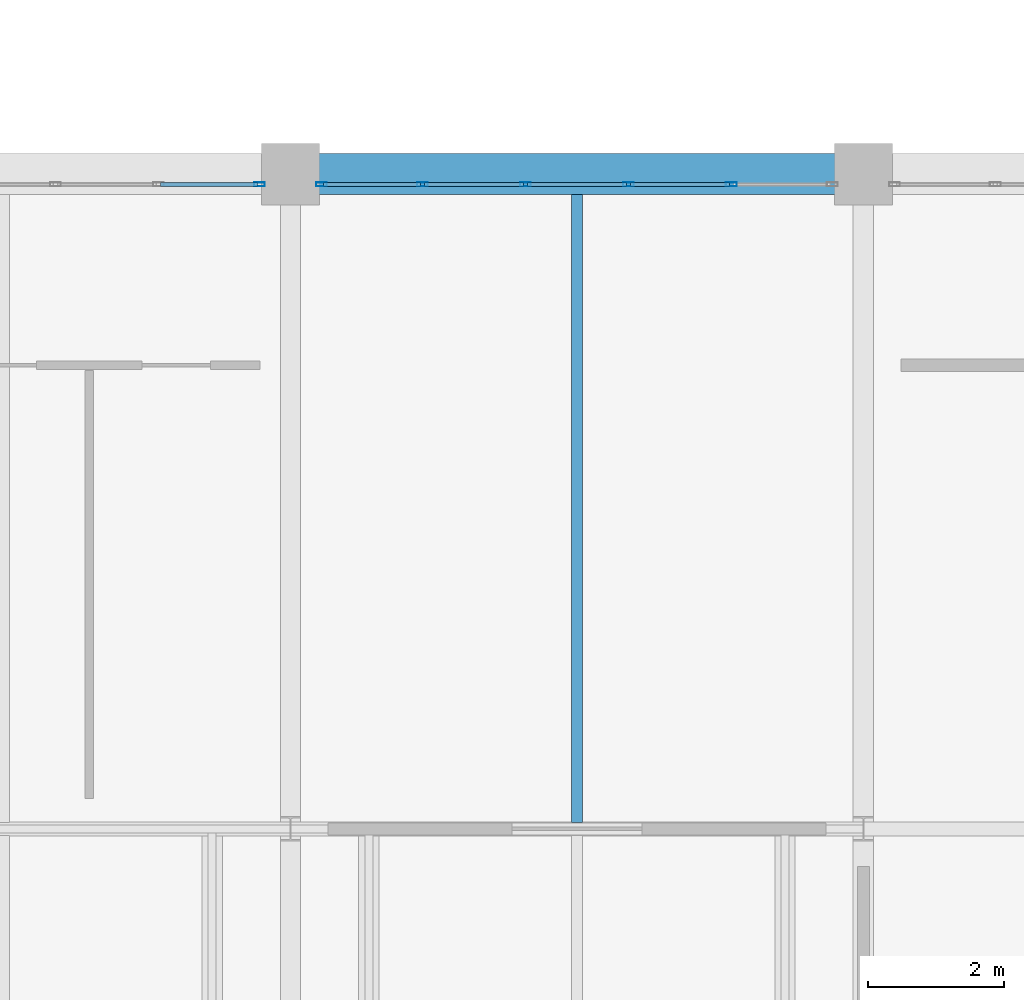
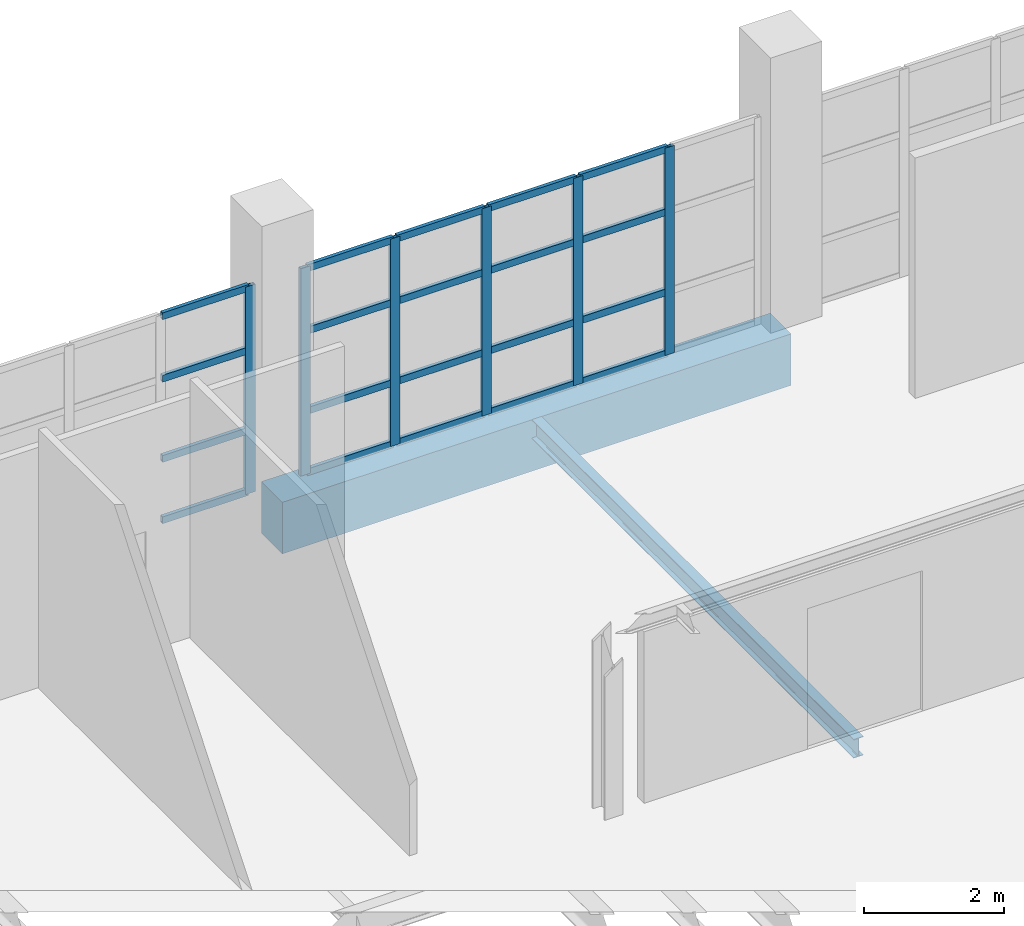
# One storey, part 8 of 29: 26 members, 2 beams, 2 elements without a shape of their own.
"""IFC4 building model written with IfcOpenShell, lengths in metres."""

from ifc_helpers import new_model, si_unit, direction, frame, origin, origin_2d, place, context, subcontext, project, spatial, rectangle, hollow_rectangle, i_section, extrude, material, material_profile, profile_set, type_object, element, aggregate, save


model = new_model("IFC4")

# Units and contexts
model_context = context("Model", 3, precision=1e-05, world=origin(), true_north=direction((0.0, 1.0)))
body_context = subcontext(model_context, "Body", "Model", "MODEL_VIEW")
ifc_project = project(units=[si_unit("LENGTHUNIT", "METRE"), si_unit("AREAUNIT", "SQUARE_METRE"), si_unit("VOLUMEUNIT", "CUBIC_METRE"), si_unit("PLANEANGLEUNIT", "RADIAN"), si_unit("MASSUNIT", "GRAM", prefix="KILO")], contexts=[model_context])

# Site, building, storey
site_placement = place(None, origin())
site = spatial("IfcSite", under=ifc_project, at=site_placement, CompositionType="ELEMENT")
building_placement = place(site_placement, origin())
building = spatial("IfcBuilding", under=site, at=building_placement, Name="Veltarok Museum of Natural Sciences", CompositionType="ELEMENT")
storey_placement = place(building_placement, frame((0.0, 0.0, 26.39990234375)))
storey = spatial("IfcBuildingStorey", under=building, at=storey_placement, Name="L05", CompositionType="ELEMENT", Elevation=26.39990234375)

# Curtain wall, members
ifc_material_1 = material(Name="Low-iron triple insulated glass", Category="glass")
curtain_wall_type = type_object("IfcCurtainWallType", Name="Curtain Wall System CW-V1N-L05-755x362 (V1 North Overlook L05 755x362cm)", PredefinedType="NOTDEFINED", material=ifc_material_1)
curtain_wall_1_placement = place(storey_placement, origin())
curtain_wall_1 = element("IfcCurtainWall", 1, at=curtain_wall_1_placement, inside=storey, type_object=curtain_wall_type, Name="Curtain Wall CW-V1N-L05-755x362 CW-0013", PredefinedType="NOTDEFINED")
ifc_material_2 = material(Name="Thermally broken anodised aluminium", Category="aluminium")
ifc_material_profile_1 = material_profile(ifc_material_2, hollow_rectangle(XDim=0.06005859375, YDim=0.1201171875, WallThickness=0.0048828125, at=origin_2d()), Name="CW TRANSOM 60x120x5")
ifc_profile_set_1 = profile_set([ifc_material_profile_1], Name="Thermally broken anodised aluminium")
member_type_1 = type_object("IfcMemberType", Name="Curtain Wall Horizontal Transom 60x120x5", PredefinedType="USERDEFINED", material=ifc_profile_set_1)
member_1_placement = place(storey_placement, frame((56.31494140625, 19.050048828125, 0.030029296875), z_axis=(-1.0, 0.0, 0.0), x_axis=(0.0, -1.0, 0.0)))
member_1 = element("IfcMember", 2, at=member_1_placement, type_object=member_type_1, Name="CW-V1N-L05-755x362 transom 1.1", ObjectType="TRANSOM", PredefinedType="USERDEFINED", context=body_context, shape_type="SweptSolid", body=[
    extrude(hollow_rectangle(XDim=0.06005859375, YDim=0.1201171875, WallThickness=0.0048828125, at=origin_2d()), origin(), (0.0, 0.0, 1.0), 1.419921875),
])
member_2_placement = place(storey_placement, frame((56.31494140625, 19.050048828125, 1.10009765625), z_axis=(-1.0, 0.0, 0.0), x_axis=(0.0, -1.0, 0.0)))
member_2 = element("IfcMember", 3, at=member_2_placement, type_object=member_type_1, Name="CW-V1N-L05-755x362 transom 1.2", ObjectType="TRANSOM", PredefinedType="USERDEFINED", context=body_context, shape_type="SweptSolid", body=[
    extrude(hollow_rectangle(XDim=0.06005859375, YDim=0.1201171875, WallThickness=0.0048828125, at=origin_2d()), origin(), (0.0, 0.0, 1.0), 1.419921875),
])
member_3_placement = place(storey_placement, frame((56.31494140625, 19.050048828125, 2.5), z_axis=(-1.0, 0.0, 0.0), x_axis=(0.0, -1.0, 0.0)))
member_3 = element("IfcMember", 4, at=member_3_placement, type_object=member_type_1, Name="CW-V1N-L05-755x362 transom 1.3", ObjectType="TRANSOM", PredefinedType="USERDEFINED", context=body_context, shape_type="SweptSolid", body=[
    extrude(hollow_rectangle(XDim=0.06005859375, YDim=0.1201171875, WallThickness=0.0048828125, at=origin_2d()), origin(), (0.0, 0.0, 1.0), 1.419921875),
])
member_4_placement = place(storey_placement, frame((56.31494140625, 19.050048828125, 3.590087890625), z_axis=(-1.0, 0.0, 0.0), x_axis=(0.0, -1.0, 0.0)))
member_4 = element("IfcMember", 5, at=member_4_placement, type_object=member_type_1, Name="CW-V1N-L05-755x362 transom 1.4", ObjectType="TRANSOM", PredefinedType="USERDEFINED", context=body_context, shape_type="SweptSolid", body=[
    extrude(hollow_rectangle(XDim=0.06005859375, YDim=0.1201171875, WallThickness=0.0048828125, at=origin_2d()), origin(), (0.0, 0.0, 1.0), 1.419921875),
])

curtain_wall_2_placement = place(storey_placement, origin())
curtain_wall_2 = element("IfcCurtainWall", 6, at=curtain_wall_2_placement, inside=storey, type_object=curtain_wall_type, Name="Curtain Wall CW-V1N-L05-755x362 CW-0014", PredefinedType="NOTDEFINED")
member_5_placement = place(storey_placement, frame((63.235107421875, 19.050048828125, 0.030029296875), z_axis=(-1.0, 0.0, 0.0), x_axis=(0.0, -1.0, 0.0)))
member_5 = element("IfcMember", 7, at=member_5_placement, type_object=member_type_1, Name="CW-V1N-L05-755x362 transom 2.1", ObjectType="TRANSOM", PredefinedType="USERDEFINED", context=body_context, shape_type="SweptSolid", body=[
    extrude(hollow_rectangle(XDim=0.06005859375, YDim=0.1201171875, WallThickness=0.0048828125, at=origin_2d()), origin(), (0.0, 0.0, 1.0), 1.4501953125),
])
member_6_placement = place(storey_placement, frame((63.235107421875, 19.050048828125, 1.10009765625), z_axis=(-1.0, 0.0, 0.0), x_axis=(0.0, -1.0, 0.0)))
member_6 = element("IfcMember", 8, at=member_6_placement, type_object=member_type_1, Name="CW-V1N-L05-755x362 transom 2.2", ObjectType="TRANSOM", PredefinedType="USERDEFINED", context=body_context, shape_type="SweptSolid", body=[
    extrude(hollow_rectangle(XDim=0.06005859375, YDim=0.1201171875, WallThickness=0.0048828125, at=origin_2d()), origin(), (0.0, 0.0, 1.0), 1.4501953125),
])
member_7_placement = place(storey_placement, frame((63.235107421875, 19.050048828125, 2.5), z_axis=(-1.0, 0.0, 0.0), x_axis=(0.0, -1.0, 0.0)))
member_7 = element("IfcMember", 9, at=member_7_placement, type_object=member_type_1, Name="CW-V1N-L05-755x362 transom 2.3", ObjectType="TRANSOM", PredefinedType="USERDEFINED", context=body_context, shape_type="SweptSolid", body=[
    extrude(hollow_rectangle(XDim=0.06005859375, YDim=0.1201171875, WallThickness=0.0048828125, at=origin_2d()), origin(), (0.0, 0.0, 1.0), 1.4501953125),
])
member_8_placement = place(storey_placement, frame((63.235107421875, 19.050048828125, 3.590087890625), z_axis=(-1.0, 0.0, 0.0), x_axis=(0.0, -1.0, 0.0)))
member_8 = element("IfcMember", 10, at=member_8_placement, type_object=member_type_1, Name="CW-V1N-L05-755x362 transom 2.4", ObjectType="TRANSOM", PredefinedType="USERDEFINED", context=body_context, shape_type="SweptSolid", body=[
    extrude(hollow_rectangle(XDim=0.06005859375, YDim=0.1201171875, WallThickness=0.0048828125, at=origin_2d()), origin(), (0.0, 0.0, 1.0), 1.4501953125),
])
member_9_placement = place(storey_placement, frame((61.72509765625, 19.050048828125, 0.030029296875), z_axis=(-1.0, 0.0, 0.0), x_axis=(0.0, -1.0, 0.0)))
member_9 = element("IfcMember", 11, at=member_9_placement, type_object=member_type_1, Name="CW-V1N-L05-755x362 transom 3.1", ObjectType="TRANSOM", PredefinedType="USERDEFINED", context=body_context, shape_type="SweptSolid", body=[
    extrude(hollow_rectangle(XDim=0.06005859375, YDim=0.1201171875, WallThickness=0.0048828125, at=origin_2d()), origin(), (0.0, 0.0, 1.0), 1.4501953125),
])
member_10_placement = place(storey_placement, frame((61.72509765625, 19.050048828125, 1.10009765625), z_axis=(-1.0, 0.0, 0.0), x_axis=(0.0, -1.0, 0.0)))
member_10 = element("IfcMember", 12, at=member_10_placement, type_object=member_type_1, Name="CW-V1N-L05-755x362 transom 3.2", ObjectType="TRANSOM", PredefinedType="USERDEFINED", context=body_context, shape_type="SweptSolid", body=[
    extrude(hollow_rectangle(XDim=0.06005859375, YDim=0.1201171875, WallThickness=0.0048828125, at=origin_2d()), origin(), (0.0, 0.0, 1.0), 1.4501953125),
])
member_11_placement = place(storey_placement, frame((61.72509765625, 19.050048828125, 2.5), z_axis=(-1.0, 0.0, 0.0), x_axis=(0.0, -1.0, 0.0)))
member_11 = element("IfcMember", 13, at=member_11_placement, type_object=member_type_1, Name="CW-V1N-L05-755x362 transom 3.3", ObjectType="TRANSOM", PredefinedType="USERDEFINED", context=body_context, shape_type="SweptSolid", body=[
    extrude(hollow_rectangle(XDim=0.06005859375, YDim=0.1201171875, WallThickness=0.0048828125, at=origin_2d()), origin(), (0.0, 0.0, 1.0), 1.4501953125),
])
member_12_placement = place(storey_placement, frame((61.72509765625, 19.050048828125, 3.590087890625), z_axis=(-1.0, 0.0, 0.0), x_axis=(0.0, -1.0, 0.0)))
member_12 = element("IfcMember", 14, at=member_12_placement, type_object=member_type_1, Name="CW-V1N-L05-755x362 transom 3.4", ObjectType="TRANSOM", PredefinedType="USERDEFINED", context=body_context, shape_type="SweptSolid", body=[
    extrude(hollow_rectangle(XDim=0.06005859375, YDim=0.1201171875, WallThickness=0.0048828125, at=origin_2d()), origin(), (0.0, 0.0, 1.0), 1.4501953125),
])
member_13_placement = place(storey_placement, frame((60.215087890625, 19.050048828125, 0.030029296875), z_axis=(-1.0, 0.0, 0.0), x_axis=(0.0, -1.0, 0.0)))
member_13 = element("IfcMember", 15, at=member_13_placement, type_object=member_type_1, Name="CW-V1N-L05-755x362 transom 4.1", ObjectType="TRANSOM", PredefinedType="USERDEFINED", context=body_context, shape_type="SweptSolid", body=[
    extrude(hollow_rectangle(XDim=0.06005859375, YDim=0.1201171875, WallThickness=0.0048828125, at=origin_2d()), origin(), (0.0, 0.0, 1.0), 1.4501953125),
])
member_14_placement = place(storey_placement, frame((60.215087890625, 19.050048828125, 1.10009765625), z_axis=(-1.0, 0.0, 0.0), x_axis=(0.0, -1.0, 0.0)))
member_14 = element("IfcMember", 16, at=member_14_placement, type_object=member_type_1, Name="CW-V1N-L05-755x362 transom 4.2", ObjectType="TRANSOM", PredefinedType="USERDEFINED", context=body_context, shape_type="SweptSolid", body=[
    extrude(hollow_rectangle(XDim=0.06005859375, YDim=0.1201171875, WallThickness=0.0048828125, at=origin_2d()), origin(), (0.0, 0.0, 1.0), 1.4501953125),
])
member_15_placement = place(storey_placement, frame((60.215087890625, 19.050048828125, 2.5), z_axis=(-1.0, 0.0, 0.0), x_axis=(0.0, -1.0, 0.0)))
member_15 = element("IfcMember", 17, at=member_15_placement, type_object=member_type_1, Name="CW-V1N-L05-755x362 transom 4.3", ObjectType="TRANSOM", PredefinedType="USERDEFINED", context=body_context, shape_type="SweptSolid", body=[
    extrude(hollow_rectangle(XDim=0.06005859375, YDim=0.1201171875, WallThickness=0.0048828125, at=origin_2d()), origin(), (0.0, 0.0, 1.0), 1.4501953125),
])
member_16_placement = place(storey_placement, frame((60.215087890625, 19.050048828125, 3.590087890625), z_axis=(-1.0, 0.0, 0.0), x_axis=(0.0, -1.0, 0.0)))
member_16 = element("IfcMember", 18, at=member_16_placement, type_object=member_type_1, Name="CW-V1N-L05-755x362 transom 4.4", ObjectType="TRANSOM", PredefinedType="USERDEFINED", context=body_context, shape_type="SweptSolid", body=[
    extrude(hollow_rectangle(XDim=0.06005859375, YDim=0.1201171875, WallThickness=0.0048828125, at=origin_2d()), origin(), (0.0, 0.0, 1.0), 1.4501953125),
])
member_17_placement = place(storey_placement, frame((58.705078125, 19.050048828125, 0.030029296875), z_axis=(-1.0, 0.0, 0.0), x_axis=(0.0, -1.0, 0.0)))
member_17 = element("IfcMember", 19, at=member_17_placement, type_object=member_type_1, Name="CW-V1N-L05-755x362 transom 5.1", ObjectType="TRANSOM", PredefinedType="USERDEFINED", context=body_context, shape_type="SweptSolid", body=[
    extrude(hollow_rectangle(XDim=0.06005859375, YDim=0.1201171875, WallThickness=0.0048828125, at=origin_2d()), origin(), (0.0, 0.0, 1.0), 1.420166015625),
])
member_18_placement = place(storey_placement, frame((58.705078125, 19.050048828125, 1.10009765625), z_axis=(-1.0, 0.0, 0.0), x_axis=(0.0, -1.0, 0.0)))
member_18 = element("IfcMember", 20, at=member_18_placement, type_object=member_type_1, Name="CW-V1N-L05-755x362 transom 5.2", ObjectType="TRANSOM", PredefinedType="USERDEFINED", context=body_context, shape_type="SweptSolid", body=[
    extrude(hollow_rectangle(XDim=0.06005859375, YDim=0.1201171875, WallThickness=0.0048828125, at=origin_2d()), origin(), (0.0, 0.0, 1.0), 1.420166015625),
])
member_19_placement = place(storey_placement, frame((58.705078125, 19.050048828125, 2.5), z_axis=(-1.0, 0.0, 0.0), x_axis=(0.0, -1.0, 0.0)))
member_19 = element("IfcMember", 21, at=member_19_placement, type_object=member_type_1, Name="CW-V1N-L05-755x362 transom 5.3", ObjectType="TRANSOM", PredefinedType="USERDEFINED", context=body_context, shape_type="SweptSolid", body=[
    extrude(hollow_rectangle(XDim=0.06005859375, YDim=0.1201171875, WallThickness=0.0048828125, at=origin_2d()), origin(), (0.0, 0.0, 1.0), 1.420166015625),
])
member_20_placement = place(storey_placement, frame((58.705078125, 19.050048828125, 3.590087890625), z_axis=(-1.0, 0.0, 0.0), x_axis=(0.0, -1.0, 0.0)))
member_20 = element("IfcMember", 22, at=member_20_placement, type_object=member_type_1, Name="CW-V1N-L05-755x362 transom 5.4", ObjectType="TRANSOM", PredefinedType="USERDEFINED", context=body_context, shape_type="SweptSolid", body=[
    extrude(hollow_rectangle(XDim=0.06005859375, YDim=0.1201171875, WallThickness=0.0048828125, at=origin_2d()), origin(), (0.0, 0.0, 1.0), 1.420166015625),
])

# Member
ifc_material_profile_2 = material_profile(ifc_material_2, hollow_rectangle(XDim=0.06005859375, YDim=0.159912109375, WallThickness=0.0048828125, at=origin_2d()), Name="CW MULLION 60x160x5")
ifc_profile_set_2 = profile_set([ifc_material_profile_2], Name="Thermally broken anodised aluminium")
member_type_2 = type_object("IfcMemberType", Name="Curtain Wall Vertical Mullion 60x160x5", PredefinedType="MULLION", material=ifc_profile_set_2)
member_21_placement = place(storey_placement, frame((56.344970703125, 19.050048828125, 0.0), z_axis=(0.0, 0.0, 1.0), x_axis=(0.0, -1.0, 0.0)))
member_21 = element("IfcMember", 23, at=member_21_placement, type_object=member_type_2, Name="CW-V1N-L05-755x362 mullion 1", PredefinedType="MULLION", context=body_context, shape_type="SweptSolid", body=[
    extrude(hollow_rectangle(XDim=0.06005859375, YDim=0.159912109375, WallThickness=0.0048828125, at=origin_2d()), origin(), (0.0, 0.0, 1.0), 3.6201171875),
])

aggregate(curtain_wall_1, [member_21, member_1, member_2, member_3, member_4])

member_22_placement = place(storey_placement, frame((63.264892578125, 19.050048828125, 0.0), z_axis=(0.0, 0.0, 1.0), x_axis=(0.0, -1.0, 0.0)))
member_22 = element("IfcMember", 24, at=member_22_placement, type_object=member_type_2, Name="CW-V1N-L05-755x362 mullion 2", PredefinedType="MULLION", context=body_context, shape_type="SweptSolid", body=[
    extrude(hollow_rectangle(XDim=0.06005859375, YDim=0.159912109375, WallThickness=0.0048828125, at=origin_2d()), origin(), (0.0, 0.0, 1.0), 3.6201171875),
])

member_23_placement = place(storey_placement, frame((61.7548828125, 19.050048828125, 0.0), z_axis=(0.0, 0.0, 1.0), x_axis=(0.0, -1.0, 0.0)))
member_23 = element("IfcMember", 25, at=member_23_placement, type_object=member_type_2, Name="CW-V1N-L05-755x362 mullion 3", PredefinedType="MULLION", context=body_context, shape_type="SweptSolid", body=[
    extrude(hollow_rectangle(XDim=0.06005859375, YDim=0.159912109375, WallThickness=0.0048828125, at=origin_2d()), origin(), (0.0, 0.0, 1.0), 3.6201171875),
])

member_24_placement = place(storey_placement, frame((60.2451171875, 19.050048828125, 0.0), z_axis=(0.0, 0.0, 1.0), x_axis=(0.0, -1.0, 0.0)))
member_24 = element("IfcMember", 26, at=member_24_placement, type_object=member_type_2, Name="CW-V1N-L05-755x362 mullion 4", PredefinedType="MULLION", context=body_context, shape_type="SweptSolid", body=[
    extrude(hollow_rectangle(XDim=0.06005859375, YDim=0.159912109375, WallThickness=0.0048828125, at=origin_2d()), origin(), (0.0, 0.0, 1.0), 3.6201171875),
])

member_25_placement = place(storey_placement, frame((58.735107421875, 19.050048828125, 0.0), z_axis=(0.0, 0.0, 1.0), x_axis=(0.0, -1.0, 0.0)))
member_25 = element("IfcMember", 27, at=member_25_placement, type_object=member_type_2, Name="CW-V1N-L05-755x362 mullion 5", PredefinedType="MULLION", context=body_context, shape_type="SweptSolid", body=[
    extrude(hollow_rectangle(XDim=0.06005859375, YDim=0.159912109375, WallThickness=0.0048828125, at=origin_2d()), origin(), (0.0, 0.0, 1.0), 3.6201171875),
])

member_26_placement = place(storey_placement, frame((57.2548828125, 19.050048828125, 0.0), z_axis=(0.0, 0.0, 1.0), x_axis=(0.0, -1.0, 0.0)))
member_26 = element("IfcMember", 28, at=member_26_placement, type_object=member_type_2, Name="CW-V1N-L05-755x362 mullion 6", PredefinedType="MULLION", context=body_context, shape_type="SweptSolid", body=[
    extrude(hollow_rectangle(XDim=0.06005859375, YDim=0.159912109375, WallThickness=0.0048828125, at=origin_2d()), origin(), (0.0, 0.0, 1.0), 3.6201171875),
])

aggregate(curtain_wall_2, [member_22, member_23, member_24, member_25, member_26, member_5, member_6, member_7, member_8, member_9, member_10, member_11, member_12, member_13, member_14, member_15, member_16, member_17, member_18, member_19, member_20])

# Beams
ifc_material_3 = material(Name="Concrete C40/50", Category="concrete")
ifc_material_profile_3 = material_profile(ifc_material_3, rectangle(XDim=0.60009765625, YDim=0.89990234375, at=origin_2d()), Name="RC 600x900")
ifc_profile_set_3 = profile_set([ifc_material_profile_3], Name="Concrete C40/50")
beam_type_1 = type_object("IfcBeamType", Name="Exposed Cabinet Perimeter Spandrel RC 600x900", PredefinedType="SPANDREL", material=ifc_profile_set_3)
beam_1_placement = place(storey_placement, frame((56.800048828125, 19.199951171875, -0.699951171875), z_axis=(1.0, 0.0, 0.0), x_axis=(0.0, 1.0, 0.0)))
element("IfcBeam", 29, at=beam_1_placement, inside=storey, type_object=beam_type_1, Name="Beam BM-SP01 L05 7-8/C", PredefinedType="SPANDREL", context=body_context, shape_type="SweptSolid", body=[
    extrude(rectangle(XDim=0.60009765625, YDim=0.89990234375, at=origin_2d()), origin(), (0.0, 0.0, 1.0), 8.39990234375),
])
ifc_material_4 = material(Name="Steel S355J2", Category="steel")
ifc_material_profile_4 = material_profile(ifc_material_4, i_section(OverallWidth=0.159912109375, OverallDepth=0.330078125, WebThickness=0.007568359375, FlangeThickness=0.011474609375, FilletRadius=0.01806640625, at=origin_2d()), Name="IPE 330")
ifc_profile_set_4 = profile_set([ifc_material_profile_4], Name="Steel S355J2")
beam_type_2 = type_object("IfcBeamType", Name="Medium-Bay Composite Joist IPE 330", PredefinedType="JOIST", material=ifc_profile_set_4)
beam_2_placement = place(storey_placement, frame((61.0, 9.697998046875, -0.414794921875), z_axis=(0.0, 1.0, 0.0), x_axis=(-1.0, 0.0, 0.0)))
element("IfcBeam", 30, at=beam_2_placement, inside=storey, type_object=beam_type_2, Name="Secondary Joist BM-J02 L05 7-8/B-C.1", PredefinedType="JOIST", context=body_context, shape_type="SweptSolid", body=[
    extrude(i_section(OverallWidth=0.159912109375, OverallDepth=0.330078125, WebThickness=0.007568359375, FlangeThickness=0.011474609375, FilletRadius=0.01806640625, at=origin_2d()), origin(), (0.0, 0.0, 1.0), 9.2041015625),
])

save(model, "model.ifc")
